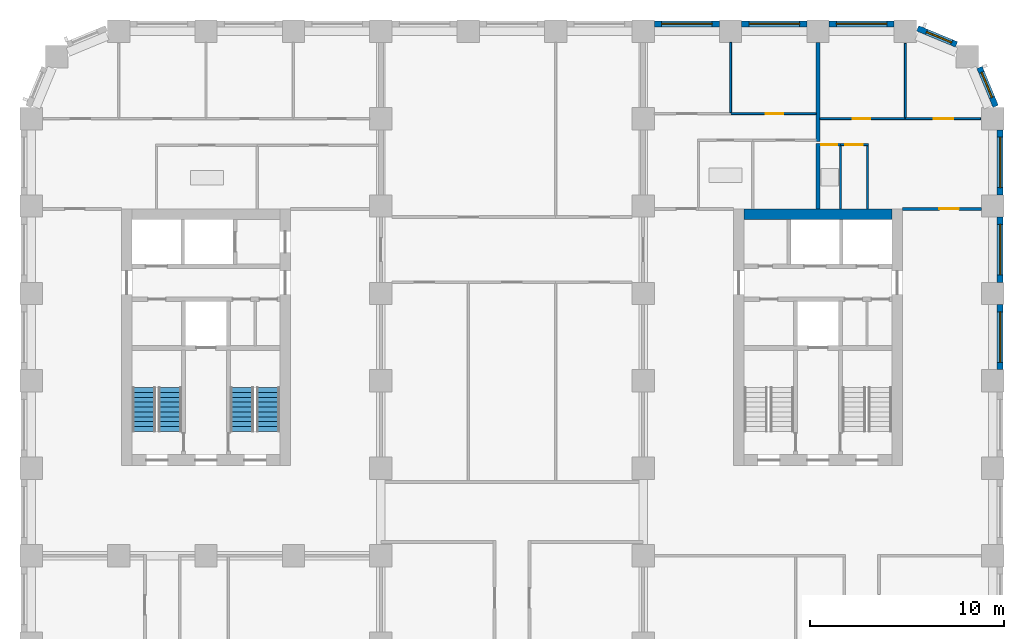
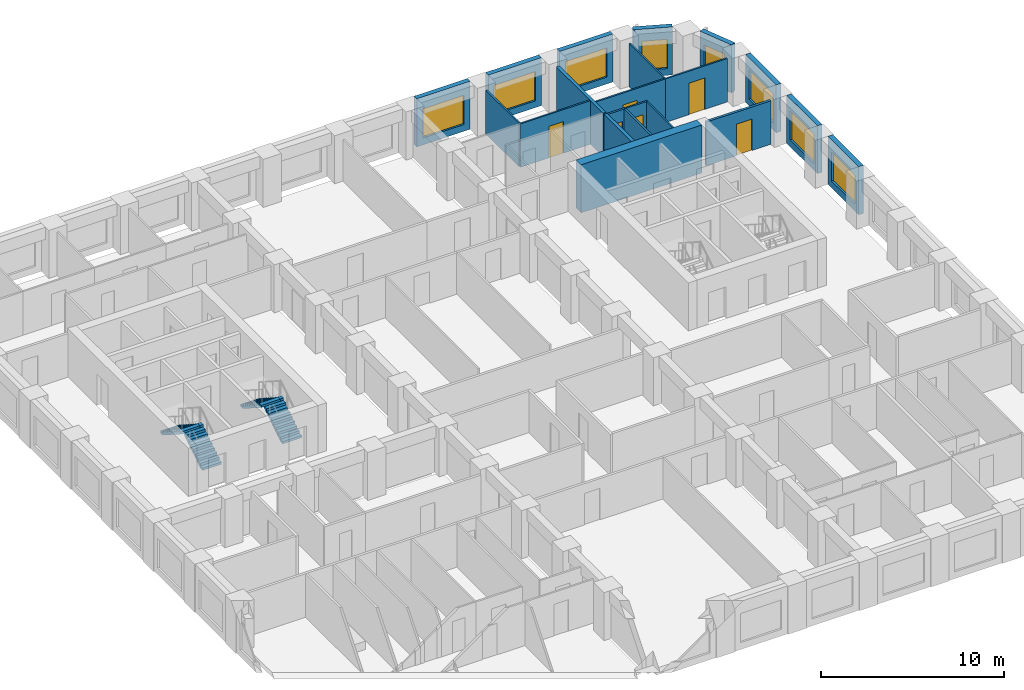
# One storey, part 9 of 13: 21 walls, 8 windows, 6 doors, 4 stair flights, 14 openings, 2 elements without a shape of their own.
"""IFC4 building model written with IfcOpenShell, lengths in metres."""

from ifc_helpers import new_model, si_unit, direction, frame, frame_2d, origin, place, context, subcontext, project, spatial, polyline, rectangle, outline, extrude, material, layer, layer_set, type_object, element, fill, aggregate, save


model = new_model("IFC4")

# Units and contexts
model_context = context("Model", 3, precision=1e-05, world=origin(), true_north=direction((0.0, 1.0)))
body_context = subcontext(model_context, "Body", "Model", "MODEL_VIEW")
ifc_project = project(units=[si_unit("LENGTHUNIT", "METRE"), si_unit("AREAUNIT", "SQUARE_METRE"), si_unit("VOLUMEUNIT", "CUBIC_METRE"), si_unit("PLANEANGLEUNIT", "RADIAN"), si_unit("MASSUNIT", "GRAM", prefix="KILO")], contexts=[model_context])

# Site, building, storey
site_placement = place(None, origin())
site = spatial("IfcSite", under=ifc_project, at=site_placement, CompositionType="ELEMENT")
building_placement = place(site_placement, origin())
building = spatial("IfcBuilding", under=site, at=building_placement, Name="Girih Gate Residences", CompositionType="ELEMENT")
storey_placement = place(building_placement, frame((0.0, 0.0, 105.60009765625)))
storey = spatial("IfcBuildingStorey", under=building, at=storey_placement, Name="L29", CompositionType="ELEMENT", Elevation=105.60009765625)

# Wall, opening, door
ifc_material_1 = material(Name="Gypsum board on steel studs", Category="steel")
ifc_layer_1 = layer(ifc_material_1, 0.14990234375)
ifc_layer_set_1 = layer_set([ifc_layer_1], Name="Compartment wall 150 mm")
wall_type_1 = type_object("IfcWallType", Name="Compartment wall 150 mm", PredefinedType="PARTITIONING", material=ifc_layer_set_1)
wall_1_placement = place(storey_placement, frame((44.85009765625, 40.35009765625, 0.0), z_axis=(0.0, 0.0, 1.0), x_axis=(1.0, 0.0, 0.0)))
wall_1 = element("IfcWall", 1, at=wall_1_placement, inside=storey, type_object=wall_type_1, Name="L29 partition", PredefinedType="PARTITIONING", context=body_context, shape_type="SweptSolid", body=[
    extrude(rectangle(XDim=4.074951171875, YDim=0.14990234375, at=frame_2d((2.03759765625, 0.0))), origin(), (0.0, 0.0, 1.0), 2.89990234375),
])
opening_1_placement = place(wall_1_placement, frame((1.89990234375, 0.0, 0.0)))
opening_1 = element("IfcOpeningElement", 2, at=opening_1_placement, cuts=wall_1, Name="Opening A29-033", PredefinedType="OPENING", context=body_context, shape_type="SweptSolid", body=[
    extrude(rectangle(XDim=1.0, YDim=2.10009765625, at=frame_2d((0.5, 1.050048828125))), frame((0.0, 0.0849609375, 0.0), z_axis=(0.0, -1.0, 0.0), x_axis=(1.0, 0.0, 0.0)), (0.0, 0.0, 1.0), 0.169921875),
])
ifc_material_2 = material(Name="Timber, fire-rated core", Category="wood")
door_type_1 = type_object("IfcDoorType", Name="Flat entrance door 1000x2100 FD30S", OperationType="NOTDEFINED", PredefinedType="DOOR", material=ifc_material_2)
door_1_placement = place(opening_1_placement, origin())
door_1 = element("IfcDoor", 3, at=door_1_placement, inside=storey, type_object=door_type_1, Name="Door A29-033", OperationType="SINGLE_SWING_RIGHT", OverallHeight=2.10009765625, OverallWidth=1.0, PredefinedType="DOOR", context=body_context, shape_type="SweptSolid", body=[
    extrude(rectangle(XDim=1.0, YDim=2.10009765625, at=frame_2d((0.5, 1.050048828125))), frame((0.0, 0.02490234375, 0.0), z_axis=(0.0, -1.0, 0.0), x_axis=(1.0, 0.0, 0.0)), (0.0, 0.0, 1.0), 0.050048828125),
])
fill(opening_1, door_1)

# Wall
ifc_material_3 = material(Name="Concrete C60/75", Category="concrete")
ifc_layer_2 = layer(ifc_material_3, 0.550048828125)
ifc_layer_set_2 = layer_set([ifc_layer_2], Name="Core wall RC 550 Concrete C60/75")
wall_type_2 = type_object("IfcWallType", Name="Core wall RC 550 Concrete C60/75", PredefinedType="SOLIDWALL", material=ifc_layer_set_2)
wall_2_placement = place(storey_placement, frame((36.699951171875, 40.074951171875, 0.0), z_axis=(0.0, 0.0, 1.0), x_axis=(1.0, 0.0, 0.0)))
element("IfcWall", 4, at=wall_2_placement, inside=storey, type_object=wall_type_2, Name="Core wall E-N L29", PredefinedType="SOLIDWALL", context=body_context, shape_type="SweptSolid", body=[
    extrude(rectangle(XDim=7.60009765625, YDim=0.550048828125, at=frame_2d((3.800048828125, 0.0))), origin(), (0.0, 0.0, 1.0), 3.199951171875),
])

# Wall, opening, door
ifc_layer_3 = layer(ifc_material_1, 0.10009765625)
ifc_layer_set_3 = layer_set([ifc_layer_3], Name="Partition 100 mm")
wall_type_3 = type_object("IfcWallType", Name="Partition 100 mm", PredefinedType="PARTITIONING", material=ifc_layer_set_3)
wall_3_placement = place(storey_placement, frame((40.60009765625, 45.0, 0.0), z_axis=(0.0, 0.0, 1.0), x_axis=(1.0, 0.0, 0.0)))
wall_3 = element("IfcWall", 5, at=wall_3_placement, inside=storey, type_object=wall_type_3, Name="L29 partition", PredefinedType="PARTITIONING", context=body_context, shape_type="SweptSolid", body=[
    extrude(rectangle(XDim=4.39990234375, YDim=0.10009765625, at=frame_2d((2.199951171875, 0.0))), origin(), (0.0, 0.0, 1.0), 2.89990234375),
])
opening_2_placement = place(wall_3_placement, frame((1.699951171875, 0.0, 0.0)))
opening_2 = element("IfcOpeningElement", 6, at=opening_2_placement, cuts=wall_3, Name="Opening A29-030", PredefinedType="OPENING", context=body_context, shape_type="SweptSolid", body=[
    extrude(rectangle(XDim=0.89990234375, YDim=2.10009765625, at=frame_2d((0.449951171875, 1.050048828125))), frame((0.0, 0.06005859375, 0.0), z_axis=(0.0, -1.0, 0.0), x_axis=(1.0, 0.0, 0.0)), (0.0, 0.0, 1.0), 0.1201171875),
])
ifc_material_4 = material(Name="Timber", Category="wood")
door_type_2 = type_object("IfcDoorType", Name="Bedroom door 900x2100", OperationType="NOTDEFINED", PredefinedType="DOOR", material=ifc_material_4)
door_2_placement = place(opening_2_placement, origin())
door_2 = element("IfcDoor", 7, at=door_2_placement, inside=storey, type_object=door_type_2, Name="Door A29-030", OperationType="SINGLE_SWING_LEFT", OverallHeight=2.10009765625, OverallWidth=0.89990234375, PredefinedType="DOOR", context=body_context, shape_type="SweptSolid", body=[
    extrude(rectangle(XDim=0.89990234375, YDim=2.10009765625, at=frame_2d((0.449951171875, 1.050048828125))), frame((0.0, 0.02490234375, 0.0), z_axis=(0.0, -1.0, 0.0), x_axis=(1.0, 0.0, 0.0)), (0.0, 0.0, 1.0), 0.050048828125),
])
fill(opening_2, door_2)

# Walls
wall_4_placement = place(storey_placement, frame((45.0, 45.050048828125, 0.0), z_axis=(0.0, 0.0, 1.0), x_axis=(0.0, 1.0, 0.0)))
element("IfcWall", 8, at=wall_4_placement, inside=storey, type_object=wall_type_3, Name="L29 partition", PredefinedType="PARTITIONING", context=body_context, shape_type="SweptSolid", body=[
    extrude(rectangle(XDim=3.82763671875, YDim=0.10009765625, at=frame_2d((1.913818359375, 0.0))), origin(), (0.0, 0.0, 1.0), 2.89990234375),
])
wall_5_placement = place(storey_placement, frame((43.050048828125, 40.35009765625, 0.0), z_axis=(0.0, 0.0, 1.0), x_axis=(0.0, 1.0, 0.0)))
element("IfcWall", 9, at=wall_5_placement, inside=storey, type_object=wall_type_3, Name="L29 partition", PredefinedType="PARTITIONING", context=body_context, shape_type="SweptSolid", body=[
    extrude(rectangle(XDim=3.260009765625, YDim=0.10009765625, at=frame_2d((1.6298828125, 0.0))), origin(), (0.0, 0.0, 1.0), 2.89990234375),
])

# Wall, opening, door
wall_6_placement = place(storey_placement, frame((43.10009765625, 43.659912109375, 0.0), z_axis=(0.0, 0.0, 1.0), x_axis=(-1.0, 0.0, 0.0)))
wall_6 = element("IfcWall", 10, at=wall_6_placement, inside=storey, type_object=wall_type_3, Name="L29 partition", PredefinedType="PARTITIONING", context=body_context, shape_type="SweptSolid", body=[
    extrude(rectangle(XDim=1.44091796875, YDim=0.10009765625, at=frame_2d((0.720458984375, 0.0))), origin(), (0.0, 0.0, 1.0), 2.89990234375),
])
opening_3_placement = place(wall_6_placement, frame((0.29541015625, 0.0, 0.0)))
opening_3 = element("IfcOpeningElement", 11, at=opening_3_placement, cuts=wall_6, Name="Opening A29-031", PredefinedType="OPENING", context=body_context, shape_type="SweptSolid", body=[
    extrude(rectangle(XDim=0.89990234375, YDim=2.10009765625, at=frame_2d((0.449951171875, 1.050048828125))), frame((0.0, 0.06005859375, 0.0), z_axis=(0.0, -1.0, 0.0), x_axis=(1.0, 0.0, 0.0)), (0.0, 0.0, 1.0), 0.1201171875),
])
door_type_3 = type_object("IfcDoorType", Name="Kitchen door 900x2100", OperationType="NOTDEFINED", PredefinedType="DOOR", material=ifc_material_4)
door_3_placement = place(opening_3_placement, origin())
door_3 = element("IfcDoor", 12, at=door_3_placement, inside=storey, type_object=door_type_3, Name="Door A29-031", OperationType="SINGLE_SWING_RIGHT", OverallHeight=2.10009765625, OverallWidth=0.89990234375, PredefinedType="DOOR", context=body_context, shape_type="SweptSolid", body=[
    extrude(rectangle(XDim=0.89990234375, YDim=2.10009765625, at=frame_2d((0.449951171875, 1.050048828125))), frame((0.0, 0.02490234375, 0.0), z_axis=(0.0, -1.0, 0.0), x_axis=(1.0, 0.0, 0.0)), (0.0, 0.0, 1.0), 0.050048828125),
])
fill(opening_3, door_3)

wall_7_placement = place(storey_placement, frame((45.0, 45.0, 0.0), z_axis=(0.0, 0.0, 1.0), x_axis=(1.0, 0.0, 0.0)))
wall_7 = element("IfcWall", 13, at=wall_7_placement, inside=storey, type_object=wall_type_3, Name="L29 partition", PredefinedType="PARTITIONING", context=body_context, shape_type="SweptSolid", body=[
    extrude(rectangle(XDim=3.877685546875, YDim=0.10009765625, at=frame_2d((1.93896484375, 0.0))), origin(), (0.0, 0.0, 1.0), 2.89990234375),
])
opening_4_placement = place(wall_7_placement, frame((1.46240234375, 0.0, 0.0)))
opening_4 = element("IfcOpeningElement", 14, at=opening_4_placement, cuts=wall_7, Name="Opening A29-032", PredefinedType="OPENING", context=body_context, shape_type="SweptSolid", body=[
    extrude(rectangle(XDim=1.0, YDim=2.10009765625, at=frame_2d((0.5, 1.050048828125))), frame((0.0, 0.06005859375, 0.0), z_axis=(0.0, -1.0, 0.0), x_axis=(1.0, 0.0, 0.0)), (0.0, 0.0, 1.0), 0.1201171875),
])
door_type_4 = type_object("IfcDoorType", Name="Living room door 1000x2100", OperationType="NOTDEFINED", PredefinedType="DOOR", material=ifc_material_4)
door_4_placement = place(opening_4_placement, origin())
door_4 = element("IfcDoor", 15, at=door_4_placement, inside=storey, type_object=door_type_4, Name="Door A29-032", OperationType="SINGLE_SWING_RIGHT", OverallHeight=2.10009765625, OverallWidth=1.0, PredefinedType="DOOR", context=body_context, shape_type="SweptSolid", body=[
    extrude(rectangle(XDim=1.0, YDim=2.10009765625, at=frame_2d((0.5, 1.050048828125))), frame((0.0, 0.02490234375, 0.0), z_axis=(0.0, -1.0, 0.0), x_axis=(1.0, 0.0, 0.0)), (0.0, 0.0, 1.0), 0.050048828125),
])
fill(opening_4, door_4)

wall_8_placement = place(storey_placement, frame((36.0, 45.2548828125, 0.0), z_axis=(0.0, 0.0, 1.0), x_axis=(1.0, 0.0, 0.0)))
wall_8 = element("IfcWall", 16, at=wall_8_placement, inside=storey, type_object=wall_type_3, Name="L29 partition", PredefinedType="PARTITIONING", context=body_context, shape_type="SweptSolid", body=[
    extrude(rectangle(XDim=4.39990234375, YDim=0.10009765625, at=frame_2d((2.199951171875, 0.0))), origin(), (0.0, 0.0, 1.0), 2.89990234375),
])
opening_5_placement = place(wall_8_placement, frame((1.800048828125, 0.0, 0.0)))
opening_5 = element("IfcOpeningElement", 17, at=opening_5_placement, cuts=wall_8, Name="Opening A29-035", PredefinedType="OPENING", context=body_context, shape_type="SweptSolid", body=[
    extrude(rectangle(XDim=0.89990234375, YDim=2.10009765625, at=frame_2d((0.449951171875, 1.050048828125))), frame((0.0, 0.06005859375, 0.0), z_axis=(0.0, -1.0, 0.0), x_axis=(1.0, 0.0, 0.0)), (0.0, 0.0, 1.0), 0.1201171875),
])
door_5_placement = place(opening_5_placement, origin())
door_5 = element("IfcDoor", 18, at=door_5_placement, inside=storey, type_object=door_type_2, Name="Door A29-035", OperationType="SINGLE_SWING_RIGHT", OverallHeight=2.10009765625, OverallWidth=0.89990234375, PredefinedType="DOOR", context=body_context, shape_type="SweptSolid", body=[
    extrude(rectangle(XDim=0.89990234375, YDim=2.10009765625, at=frame_2d((0.449951171875, 1.050048828125))), frame((0.0, 0.02490234375, 0.0), z_axis=(0.0, -1.0, 0.0), x_axis=(1.0, 0.0, 0.0)), (0.0, 0.0, 1.0), 0.050048828125),
])
fill(opening_5, door_5)

# Walls
wall_9_placement = place(storey_placement, frame((36.0, 45.304931640625, 0.0), z_axis=(0.0, 0.0, 1.0), x_axis=(0.0, 1.0, 0.0)))
element("IfcWall", 19, at=wall_9_placement, inside=storey, type_object=wall_type_3, Name="L29 partition", PredefinedType="PARTITIONING", context=body_context, shape_type="SweptSolid", body=[
    extrude(rectangle(XDim=3.6201171875, YDim=0.10009765625, at=frame_2d((1.81005859375, 0.0))), origin(), (0.0, 0.0, 1.0), 2.89990234375),
])
ifc_layer_4 = layer(ifc_material_1, 0.199951171875)
ifc_layer_set_4 = layer_set([ifc_layer_4], Name="Party wall 200 mm")
wall_type_4 = type_object("IfcWallType", Name="Party wall 200 mm", PredefinedType="PARTITIONING", material=ifc_layer_set_4)
wall_10_placement = place(storey_placement, frame((40.5, 40.35009765625, 0.0), z_axis=(0.0, 0.0, 1.0), x_axis=(0.0, 1.0, 0.0)))
element("IfcWall", 20, at=wall_10_placement, inside=storey, type_object=wall_type_4, Name="L29 partition", PredefinedType="PARTITIONING", context=body_context, shape_type="SweptSolid", body=[
    extrude(rectangle(XDim=3.372314453125, YDim=0.199951171875, at=frame_2d((1.68603515625, 0.0))), origin(), (0.0, 0.0, 1.0), 2.89990234375),
])
wall_11_placement = place(storey_placement, frame((40.5, 43.824951171875, 0.0), z_axis=(0.0, 0.0, 1.0), x_axis=(0.0, 1.0, 0.0)))
element("IfcWall", 21, at=wall_11_placement, inside=storey, type_object=wall_type_4, Name="L29 partition", PredefinedType="PARTITIONING", context=body_context, shape_type="SweptSolid", body=[
    extrude(rectangle(XDim=5.10009765625, YDim=0.199951171875, at=frame_2d((2.550048828125, 0.0))), origin(), (0.0, 0.0, 1.0), 2.89990234375),
])

# Wall, opening, window
ifc_material_5 = material(Name="Precast concrete C50/60", Category="concrete")
ifc_layer_5 = layer(ifc_material_5, 0.080078125, Name="Outer leaf")
ifc_material_6 = material(Name="Rigid PIR insulation")
ifc_layer_6 = layer(ifc_material_6, 0.14990234375, Name="Insulation")
ifc_material_7 = material(Name="Precast concrete C40/50", Category="concrete")
ifc_layer_7 = layer(ifc_material_7, 0.070068359375, Name="Inner leaf")
ifc_layer_set_5 = layer_set([ifc_layer_5, ifc_layer_6, ifc_layer_7], Name="Precast concrete C50/60 external wall 300")
wall_type_5 = type_object("IfcWallType", Name="Precast concrete C50/60 external wall 300", PredefinedType="SOLIDWALL", material=ifc_layer_set_5)
wall_12_placement = place(storey_placement, frame((49.875, 35.425048828125, 0.0), z_axis=(0.0, 0.0, 1.0), x_axis=(0.0, -1.0, 0.0)))
wall_12 = element("IfcWall", 22, at=wall_12_placement, inside=storey, type_object=wall_type_5, Name="External wall E0495_0045.6", PredefinedType="SOLIDWALL", context=body_context, shape_type="SweptSolid", body=[
    extrude(rectangle(XDim=3.35009765625, YDim=0.300048828125, at=frame_2d((1.675048828125, 0.0))), origin(), (0.0, 0.0, 1.0), 3.199951171875),
])
opening_6_placement = place(wall_12_placement, frame((0.375, 0.0, 0.449951171875)))
opening_6 = element("IfcOpeningElement", 23, at=opening_6_placement, cuts=wall_12, Name="Opening W-1A", PredefinedType="OPENING", context=body_context, shape_type="SweptSolid", body=[
    extrude(rectangle(XDim=2.60009765625, YDim=1.949951171875, at=frame_2d((1.300048828125, 0.97509765625))), frame((0.0, 0.159912109375, 0.0), z_axis=(0.0, -1.0, 0.0), x_axis=(1.0, 0.0, 0.0)), (0.0, 0.0, 1.0), 0.320068359375),
])
ifc_material_8 = material(Name="Double glazing in aluminium frame", Category="aluminium")
window_type_1 = type_object("IfcWindowType", Name="Window W-1A 2600x1950", PartitioningType="SINGLE_PANEL", PredefinedType="WINDOW", material=ifc_material_8)
window_1_placement = place(opening_6_placement, origin())
window_1 = element("IfcWindow", 24, at=window_1_placement, inside=storey, type_object=window_type_1, Name="Window W-1A E0495_0045.6", OverallHeight=1.949951171875, OverallWidth=2.60009765625, PartitioningType="SINGLE_PANEL", PredefinedType="WINDOW", context=body_context, shape_type="SweptSolid", body=[
    extrude(rectangle(XDim=2.60009765625, YDim=1.949951171875, at=frame_2d((1.300048828125, 0.97509765625))), frame((0.0, 0.030029296875, 0.0), z_axis=(0.0, -1.0, 0.0), x_axis=(1.0, 0.0, 0.0)), (0.0, 0.0, 1.0), 0.06005859375),
])
fill(opening_6, window_1)

wall_13_placement = place(storey_placement, frame((49.875, 39.925048828125, 0.0), z_axis=(0.0, 0.0, 1.0), x_axis=(0.0, -1.0, 0.0)))
wall_13 = element("IfcWall", 25, at=wall_13_placement, inside=storey, type_object=wall_type_5, Name="External wall E0495_0045.7", PredefinedType="SOLIDWALL", context=body_context, shape_type="SweptSolid", body=[
    extrude(rectangle(XDim=3.35009765625, YDim=0.300048828125, at=frame_2d((1.675048828125, 0.0))), origin(), (0.0, 0.0, 1.0), 3.199951171875),
])
opening_7_placement = place(wall_13_placement, frame((0.375, 0.0, 0.449951171875)))
opening_7 = element("IfcOpeningElement", 26, at=opening_7_placement, cuts=wall_13, Name="Opening W-1A", PredefinedType="OPENING", context=body_context, shape_type="SweptSolid", body=[
    extrude(rectangle(XDim=2.60009765625, YDim=1.949951171875, at=frame_2d((1.300048828125, 0.97509765625))), frame((0.0, 0.159912109375, 0.0), z_axis=(0.0, -1.0, 0.0), x_axis=(1.0, 0.0, 0.0)), (0.0, 0.0, 1.0), 0.320068359375),
])
window_2_placement = place(opening_7_placement, origin())
window_2 = element("IfcWindow", 27, at=window_2_placement, inside=storey, type_object=window_type_1, Name="Window W-1A E0495_0045.7", OverallHeight=1.949951171875, OverallWidth=2.60009765625, PartitioningType="SINGLE_PANEL", PredefinedType="WINDOW", context=body_context, shape_type="SweptSolid", body=[
    extrude(rectangle(XDim=2.60009765625, YDim=1.949951171875, at=frame_2d((1.300048828125, 0.97509765625))), frame((0.0, 0.030029296875, 0.0), z_axis=(0.0, -1.0, 0.0), x_axis=(1.0, 0.0, 0.0)), (0.0, 0.0, 1.0), 0.06005859375),
])
fill(opening_7, window_2)

wall_14_placement = place(storey_placement, frame((49.875, 44.425048828125, 0.0), z_axis=(0.0, 0.0, 1.0), x_axis=(0.0, -1.0, 0.0)))
wall_14 = element("IfcWall", 28, at=wall_14_placement, inside=storey, type_object=wall_type_5, Name="External wall E0495_0045.8", PredefinedType="SOLIDWALL", context=body_context, shape_type="SweptSolid", body=[
    extrude(rectangle(XDim=3.35009765625, YDim=0.300048828125, at=frame_2d((1.675048828125, 0.0))), origin(), (0.0, 0.0, 1.0), 3.199951171875),
])
opening_8_placement = place(wall_14_placement, frame((0.375, 0.0, 0.449951171875)))
opening_8 = element("IfcOpeningElement", 29, at=opening_8_placement, cuts=wall_14, Name="Opening W-1A", PredefinedType="OPENING", context=body_context, shape_type="SweptSolid", body=[
    extrude(rectangle(XDim=2.60009765625, YDim=1.949951171875, at=frame_2d((1.300048828125, 0.97509765625))), frame((0.0, 0.159912109375, 0.0), z_axis=(0.0, -1.0, 0.0), x_axis=(1.0, 0.0, 0.0)), (0.0, 0.0, 1.0), 0.320068359375),
])
window_3_placement = place(opening_8_placement, origin())
window_3 = element("IfcWindow", 30, at=window_3_placement, inside=storey, type_object=window_type_1, Name="Window W-1A E0495_0045.8", OverallHeight=1.949951171875, OverallWidth=2.60009765625, PartitioningType="SINGLE_PANEL", PredefinedType="WINDOW", context=body_context, shape_type="SweptSolid", body=[
    extrude(rectangle(XDim=2.60009765625, YDim=1.949951171875, at=frame_2d((1.300048828125, 0.97509765625))), frame((0.0, 0.030029296875, 0.0), z_axis=(0.0, -1.0, 0.0), x_axis=(1.0, 0.0, 0.0)), (0.0, 0.0, 1.0), 0.06005859375),
])
fill(opening_8, window_3)

wall_15_placement = place(storey_placement, frame((48.81591796875, 47.63134765625, 0.0), z_axis=(0.0, 0.0, 1.0), x_axis=(0.382723818695, -0.923862802911, 0.0)))
wall_15 = element("IfcWall", 31, at=wall_15_placement, inside=storey, type_object=wall_type_5, Name="External wall NE0495_0450.0", PredefinedType="SOLIDWALL", context=body_context, shape_type="SweptSolid", body=[
    extrude(rectangle(XDim=2.163818359375, YDim=0.300048828125, at=frame_2d((1.08203125, 0.0))), origin(), (0.0, 0.0, 1.0), 3.199951171875),
])
opening_9_placement = place(wall_15_placement, frame((0.270751953125, 0.0, 0.449951171875)))
opening_9 = element("IfcOpeningElement", 32, at=opening_9_placement, cuts=wall_15, Name="Opening W-2D", PredefinedType="OPENING", context=body_context, shape_type="SweptSolid", body=[
    extrude(rectangle(XDim=1.39990234375, YDim=1.949951171875, at=frame_2d((0.699951171875, 0.97509765625))), frame((0.0, 0.159912109375, 0.0), z_axis=(0.0, -1.0, 0.0), x_axis=(1.0, 0.0, 0.0)), (0.0, 0.0, 1.0), 0.320068359375),
])
window_type_2 = type_object("IfcWindowType", Name="Window W-2D 1400x1950", PartitioningType="SINGLE_PANEL", PredefinedType="WINDOW", material=ifc_material_8)
window_4_placement = place(opening_9_placement, origin())
window_4 = element("IfcWindow", 33, at=window_4_placement, inside=storey, type_object=window_type_2, Name="Window W-2D NE0495_0450.0", OverallHeight=1.949951171875, OverallWidth=1.39990234375, PartitioningType="SINGLE_PANEL", PredefinedType="WINDOW", context=body_context, shape_type="SweptSolid", body=[
    extrude(rectangle(XDim=1.39990234375, YDim=1.949951171875, at=frame_2d((0.699951171875, 0.97509765625))), frame((0.0, 0.030029296875, 0.0), z_axis=(0.0, -1.0, 0.0), x_axis=(1.0, 0.0, 0.0)), (0.0, 0.0, 1.0), 0.06005859375),
])
fill(opening_9, window_4)

wall_16_placement = place(storey_placement, frame((45.63232421875, 49.64404296875, 0.0), z_axis=(0.0, 0.0, 1.0), x_axis=(0.923862802911, -0.382723818695, 0.0)))
wall_16 = element("IfcWall", 34, at=wall_16_placement, inside=storey, type_object=wall_type_5, Name="External wall NE0482_0482.0", PredefinedType="SOLIDWALL", context=body_context, shape_type="SweptSolid", body=[
    extrude(rectangle(XDim=2.163818359375, YDim=0.300048828125, at=frame_2d((1.08203125, 0.0))), origin(), (0.0, 0.0, 1.0), 3.199951171875),
])
opening_10_placement = place(wall_16_placement, frame((0.492919921875, 0.0, 0.449951171875)))
opening_10 = element("IfcOpeningElement", 35, at=opening_10_placement, cuts=wall_16, Name="Opening W-2D", PredefinedType="OPENING", context=body_context, shape_type="SweptSolid", body=[
    extrude(rectangle(XDim=1.39990234375, YDim=1.949951171875, at=frame_2d((0.699951171875, 0.97509765625))), frame((0.0, 0.159912109375, 0.0), z_axis=(0.0, -1.0, 0.0), x_axis=(1.0, 0.0, 0.0)), (0.0, 0.0, 1.0), 0.320068359375),
])
window_5_placement = place(opening_10_placement, origin())
window_5 = element("IfcWindow", 36, at=window_5_placement, inside=storey, type_object=window_type_2, Name="Window W-2D NE0482_0482.0", OverallHeight=1.949951171875, OverallWidth=1.39990234375, PartitioningType="SINGLE_PANEL", PredefinedType="WINDOW", context=body_context, shape_type="SweptSolid", body=[
    extrude(rectangle(XDim=1.39990234375, YDim=1.949951171875, at=frame_2d((0.699951171875, 0.97509765625))), frame((0.0, 0.030029296875, 0.0), z_axis=(0.0, -1.0, 0.0), x_axis=(1.0, 0.0, 0.0)), (0.0, 0.0, 1.0), 0.06005859375),
])
fill(opening_10, window_5)

wall_17_placement = place(storey_placement, frame((41.074951171875, 49.875, 0.0), z_axis=(0.0, 0.0, 1.0), x_axis=(1.0, 0.0, 0.0)))
wall_17 = element("IfcWall", 37, at=wall_17_placement, inside=storey, type_object=wall_type_5, Name="External wall N0450_0495.0", PredefinedType="SOLIDWALL", context=body_context, shape_type="SweptSolid", body=[
    extrude(rectangle(XDim=3.35009765625, YDim=0.300048828125, at=frame_2d((1.675048828125, 0.0))), origin(), (0.0, 0.0, 1.0), 3.199951171875),
])
opening_11_placement = place(wall_17_placement, frame((0.375, 0.0, 0.449951171875)))
opening_11 = element("IfcOpeningElement", 38, at=opening_11_placement, cuts=wall_17, Name="Opening W-1A", PredefinedType="OPENING", context=body_context, shape_type="SweptSolid", body=[
    extrude(rectangle(XDim=2.60009765625, YDim=1.949951171875, at=frame_2d((1.300048828125, 0.97509765625))), frame((0.0, 0.159912109375, 0.0), z_axis=(0.0, -1.0, 0.0), x_axis=(1.0, 0.0, 0.0)), (0.0, 0.0, 1.0), 0.320068359375),
])
window_6_placement = place(opening_11_placement, origin())
window_6 = element("IfcWindow", 39, at=window_6_placement, inside=storey, type_object=window_type_1, Name="Window W-1A N0450_0495.0", OverallHeight=1.949951171875, OverallWidth=2.60009765625, PartitioningType="SINGLE_PANEL", PredefinedType="WINDOW", context=body_context, shape_type="SweptSolid", body=[
    extrude(rectangle(XDim=2.60009765625, YDim=1.949951171875, at=frame_2d((1.300048828125, 0.97509765625))), frame((0.0, 0.030029296875, 0.0), z_axis=(0.0, -1.0, 0.0), x_axis=(1.0, 0.0, 0.0)), (0.0, 0.0, 1.0), 0.06005859375),
])
fill(opening_11, window_6)

wall_18_placement = place(storey_placement, frame((36.574951171875, 49.875, 0.0), z_axis=(0.0, 0.0, 1.0), x_axis=(1.0, 0.0, 0.0)))
wall_18 = element("IfcWall", 40, at=wall_18_placement, inside=storey, type_object=wall_type_5, Name="External wall N0450_0495.1", PredefinedType="SOLIDWALL", context=body_context, shape_type="SweptSolid", body=[
    extrude(rectangle(XDim=3.35009765625, YDim=0.300048828125, at=frame_2d((1.675048828125, 0.0))), origin(), (0.0, 0.0, 1.0), 3.199951171875),
])
opening_12_placement = place(wall_18_placement, frame((0.375, 0.0, 0.449951171875)))
opening_12 = element("IfcOpeningElement", 41, at=opening_12_placement, cuts=wall_18, Name="Opening W-1A", PredefinedType="OPENING", context=body_context, shape_type="SweptSolid", body=[
    extrude(rectangle(XDim=2.60009765625, YDim=1.949951171875, at=frame_2d((1.300048828125, 0.97509765625))), frame((0.0, 0.159912109375, 0.0), z_axis=(0.0, -1.0, 0.0), x_axis=(1.0, 0.0, 0.0)), (0.0, 0.0, 1.0), 0.320068359375),
])
window_7_placement = place(opening_12_placement, origin())
window_7 = element("IfcWindow", 42, at=window_7_placement, inside=storey, type_object=window_type_1, Name="Window W-1A N0450_0495.1", OverallHeight=1.949951171875, OverallWidth=2.60009765625, PartitioningType="SINGLE_PANEL", PredefinedType="WINDOW", context=body_context, shape_type="SweptSolid", body=[
    extrude(rectangle(XDim=2.60009765625, YDim=1.949951171875, at=frame_2d((1.300048828125, 0.97509765625))), frame((0.0, 0.030029296875, 0.0), z_axis=(0.0, -1.0, 0.0), x_axis=(1.0, 0.0, 0.0)), (0.0, 0.0, 1.0), 0.06005859375),
])
fill(opening_12, window_7)

wall_19_placement = place(storey_placement, frame((32.074951171875, 49.875, 0.0), z_axis=(0.0, 0.0, 1.0), x_axis=(1.0, 0.0, 0.0)))
wall_19 = element("IfcWall", 43, at=wall_19_placement, inside=storey, type_object=wall_type_5, Name="External wall N0450_0495.2", PredefinedType="SOLIDWALL", context=body_context, shape_type="SweptSolid", body=[
    extrude(rectangle(XDim=3.35009765625, YDim=0.300048828125, at=frame_2d((1.675048828125, 0.0))), origin(), (0.0, 0.0, 1.0), 3.199951171875),
])
opening_13_placement = place(wall_19_placement, frame((0.375, 0.0, 0.449951171875)))
opening_13 = element("IfcOpeningElement", 44, at=opening_13_placement, cuts=wall_19, Name="Opening W-1A", PredefinedType="OPENING", context=body_context, shape_type="SweptSolid", body=[
    extrude(rectangle(XDim=2.60009765625, YDim=1.949951171875, at=frame_2d((1.300048828125, 0.97509765625))), frame((0.0, 0.159912109375, 0.0), z_axis=(0.0, -1.0, 0.0), x_axis=(1.0, 0.0, 0.0)), (0.0, 0.0, 1.0), 0.320068359375),
])
window_8_placement = place(opening_13_placement, origin())
window_8 = element("IfcWindow", 45, at=window_8_placement, inside=storey, type_object=window_type_1, Name="Window W-1A N0450_0495.2", OverallHeight=1.949951171875, OverallWidth=2.60009765625, PartitioningType="SINGLE_PANEL", PredefinedType="WINDOW", context=body_context, shape_type="SweptSolid", body=[
    extrude(rectangle(XDim=2.60009765625, YDim=1.949951171875, at=frame_2d((1.300048828125, 0.97509765625))), frame((0.0, 0.030029296875, 0.0), z_axis=(0.0, -1.0, 0.0), x_axis=(1.0, 0.0, 0.0)), (0.0, 0.0, 1.0), 0.06005859375),
])
fill(opening_13, window_8)

# Wall, opening, door
ifc_layer_8 = layer(ifc_material_1, 0.125)
ifc_layer_set_6 = layer_set([ifc_layer_8], Name="Wet room wall 125 mm")
wall_type_6 = type_object("IfcWallType", Name="Wet room wall 125 mm", PredefinedType="PARTITIONING", material=ifc_layer_set_6)
wall_20_placement = place(storey_placement, frame((41.6591796875, 43.659912109375, 0.0), z_axis=(0.0, 0.0, 1.0), x_axis=(-1.0, 0.0, 0.0)))
wall_20 = element("IfcWall", 46, at=wall_20_placement, inside=storey, type_object=wall_type_6, Name="L29 partition", PredefinedType="PARTITIONING", context=body_context, shape_type="SweptSolid", body=[
    extrude(rectangle(XDim=1.05908203125, YDim=0.125, at=frame_2d((0.529541015625, 0.0))), origin(), (0.0, 0.0, 1.0), 2.89990234375),
])
opening_14_placement = place(wall_20_placement, frame((0.179443359375, 0.0, 0.0)))
opening_14 = element("IfcOpeningElement", 47, at=opening_14_placement, cuts=wall_20, Name="Opening A29-029", PredefinedType="OPENING", context=body_context, shape_type="SweptSolid", body=[
    extrude(rectangle(XDim=0.800048828125, YDim=2.10009765625, at=frame_2d((0.39990234375, 1.050048828125))), frame((0.0, 0.072509765625, 0.0), z_axis=(0.0, -1.0, 0.0), x_axis=(1.0, 0.0, 0.0)), (0.0, 0.0, 1.0), 0.14501953125),
])
door_type_5 = type_object("IfcDoorType", Name="Bathroom door 800x2100", OperationType="NOTDEFINED", PredefinedType="DOOR", material=ifc_material_4)
door_6_placement = place(opening_14_placement, origin())
door_6 = element("IfcDoor", 48, at=door_6_placement, inside=storey, type_object=door_type_5, Name="Door A29-029", OperationType="SINGLE_SWING_RIGHT", OverallHeight=2.10009765625, OverallWidth=0.800048828125, PredefinedType="DOOR", context=body_context, shape_type="SweptSolid", body=[
    extrude(rectangle(XDim=0.800048828125, YDim=2.10009765625, at=frame_2d((0.39990234375, 1.050048828125))), frame((0.0, 0.02490234375, 0.0), z_axis=(0.0, -1.0, 0.0), x_axis=(1.0, 0.0, 0.0)), (0.0, 0.0, 1.0), 0.050048828125),
])
fill(opening_14, door_6)

# Wall
wall_21_placement = place(storey_placement, frame((41.658935546875, 40.35009765625, 0.0), z_axis=(0.0, 0.0, 1.0), x_axis=(0.0, 1.0, 0.0)))
element("IfcWall", 49, at=wall_21_placement, inside=storey, type_object=wall_type_6, Name="L29 partition", PredefinedType="PARTITIONING", context=body_context, shape_type="SweptSolid", body=[
    extrude(rectangle(XDim=3.247314453125, YDim=0.125, at=frame_2d((1.62353515625, 0.0))), origin(), (0.0, 0.0, 1.0), 2.89990234375),
])

# Stair, stair flights
ifc_material_9 = material(Name="Concrete C40/50", Category="concrete")
stair_type = type_object("IfcStairType", Name="Exit stair", PredefinedType="HALF_TURN_STAIR", material=ifc_material_9)
stair_1_placement = place(storey_placement, origin())
stair_1 = element("IfcStair", 50, at=stair_1_placement, inside=storey, type_object=stair_type, Name="L29 Exit Stair ST-W1", PredefinedType="HALF_TURN_STAIR")
stair_flight_type = type_object("IfcStairFlightType", Name="Stair flight 1200", PredefinedType="STRAIGHT", material=ifc_material_9)
stair_flight_1_placement = place(storey_placement, frame((7.14990234375, 28.89990234375, 0.0), z_axis=(0.0, 0.0, 1.0), x_axis=(0.0, 1.0, 0.0)))
stair_flight_1 = element("IfcStairFlight", 51, at=stair_flight_1_placement, type_object=stair_flight_type, Name="ST-W1 flight 1", NumberOfRisers=10, NumberOfTreads=9, PredefinedType="STRAIGHT", RiserHeight=0.16, TreadLength=0.25, context=body_context, shape_type="SweptSolid", body=[
    extrude(outline(polyline([(0.0, 0.0), (0.0, 0.159912109375), (0.25, 0.159912109375), (0.25, 0.320068359375), (0.5, 0.320068359375), (0.5, 0.47998046875), (0.75, 0.47998046875), (0.75, 0.639892578125), (1.0, 0.639892578125), (1.0, 0.800048828125), (1.25, 0.800048828125), (1.25, 0.9599609375), (1.5, 0.9599609375), (1.5, 1.1201171875), (1.75, 1.1201171875), (1.75, 1.280029296875), (2.0, 1.280029296875), (2.0, 1.43994140625), (2.25, 1.43994140625), (2.25, 1.60009765625), (2.25, 1.29736328125), (0.222900390625, 0.0), (0.0, 0.0)])), frame((0.0, 0.60009765625, 0.0), z_axis=(0.0, -1.0, 0.0), x_axis=(1.0, 0.0, 0.0)), (0.0, 0.0, 1.0), 1.199951171875),
])
stair_flight_2_placement = place(storey_placement, frame((5.800048828125, 31.14990234375, 1.599853515625), z_axis=(0.0, 0.0, 1.0), x_axis=(0.0, -1.0, 0.0)))
stair_flight_2 = element("IfcStairFlight", 52, at=stair_flight_2_placement, type_object=stair_flight_type, Name="ST-W1 flight 2", NumberOfRisers=10, NumberOfTreads=9, PredefinedType="STRAIGHT", RiserHeight=0.16, TreadLength=0.25, context=body_context, shape_type="SweptSolid", body=[
    extrude(outline(polyline([(0.0, 0.0), (0.0, 0.159912109375), (0.25, 0.159912109375), (0.25, 0.320068359375), (0.5, 0.320068359375), (0.5, 0.47998046875), (0.75, 0.47998046875), (0.75, 0.639892578125), (1.0, 0.639892578125), (1.0, 0.800048828125), (1.25, 0.800048828125), (1.25, 0.9599609375), (1.5, 0.9599609375), (1.5, 1.1201171875), (1.75, 1.1201171875), (1.75, 1.280029296875), (2.0, 1.280029296875), (2.0, 1.43994140625), (2.25, 1.43994140625), (2.25, 1.60009765625), (2.25, 1.29736328125), (0.222900390625, 0.0), (0.0, 0.0)])), frame((0.0, 0.60009765625, 0.0), z_axis=(0.0, -1.0, 0.0), x_axis=(1.0, 0.0, 0.0)), (0.0, 0.0, 1.0), 1.199951171875),
])
aggregate(stair_1, [stair_flight_1, stair_flight_2])

stair_2_placement = place(storey_placement, origin())
stair_2 = element("IfcStair", 53, at=stair_2_placement, inside=storey, type_object=stair_type, Name="L29 Exit Stair ST-W2", PredefinedType="HALF_TURN_STAIR")
stair_flight_3_placement = place(storey_placement, frame((12.199951171875, 28.89990234375, 0.0), z_axis=(0.0, 0.0, 1.0), x_axis=(0.0, 1.0, 0.0)))
stair_flight_3 = element("IfcStairFlight", 54, at=stair_flight_3_placement, type_object=stair_flight_type, Name="ST-W2 flight 1", NumberOfRisers=10, NumberOfTreads=9, PredefinedType="STRAIGHT", RiserHeight=0.16, TreadLength=0.25, context=body_context, shape_type="SweptSolid", body=[
    extrude(outline(polyline([(0.0, 0.0), (0.0, 0.159912109375), (0.25, 0.159912109375), (0.25, 0.320068359375), (0.5, 0.320068359375), (0.5, 0.47998046875), (0.75, 0.47998046875), (0.75, 0.639892578125), (1.0, 0.639892578125), (1.0, 0.800048828125), (1.25, 0.800048828125), (1.25, 0.9599609375), (1.5, 0.9599609375), (1.5, 1.1201171875), (1.75, 1.1201171875), (1.75, 1.280029296875), (2.0, 1.280029296875), (2.0, 1.43994140625), (2.25, 1.43994140625), (2.25, 1.60009765625), (2.25, 1.29736328125), (0.222900390625, 0.0), (0.0, 0.0)])), frame((0.0, 0.60009765625, 0.0), z_axis=(0.0, -1.0, 0.0), x_axis=(1.0, 0.0, 0.0)), (0.0, 0.0, 1.0), 1.199951171875),
])
stair_flight_4_placement = place(storey_placement, frame((10.85009765625, 31.14990234375, 1.599853515625), z_axis=(0.0, 0.0, 1.0), x_axis=(0.0, -1.0, 0.0)))
stair_flight_4 = element("IfcStairFlight", 55, at=stair_flight_4_placement, type_object=stair_flight_type, Name="ST-W2 flight 2", NumberOfRisers=10, NumberOfTreads=9, PredefinedType="STRAIGHT", RiserHeight=0.16, TreadLength=0.25, context=body_context, shape_type="SweptSolid", body=[
    extrude(outline(polyline([(0.0, 0.0), (0.0, 0.159912109375), (0.25, 0.159912109375), (0.25, 0.320068359375), (0.5, 0.320068359375), (0.5, 0.47998046875), (0.75, 0.47998046875), (0.75, 0.639892578125), (1.0, 0.639892578125), (1.0, 0.800048828125), (1.25, 0.800048828125), (1.25, 0.9599609375), (1.5, 0.9599609375), (1.5, 1.1201171875), (1.75, 1.1201171875), (1.75, 1.280029296875), (2.0, 1.280029296875), (2.0, 1.43994140625), (2.25, 1.43994140625), (2.25, 1.60009765625), (2.25, 1.29736328125), (0.222900390625, 0.0), (0.0, 0.0)])), frame((0.0, 0.60009765625, 0.0), z_axis=(0.0, -1.0, 0.0), x_axis=(1.0, 0.0, 0.0)), (0.0, 0.0, 1.0), 1.199951171875),
])
aggregate(stair_2, [stair_flight_3, stair_flight_4])

save(model, "model.ifc")
